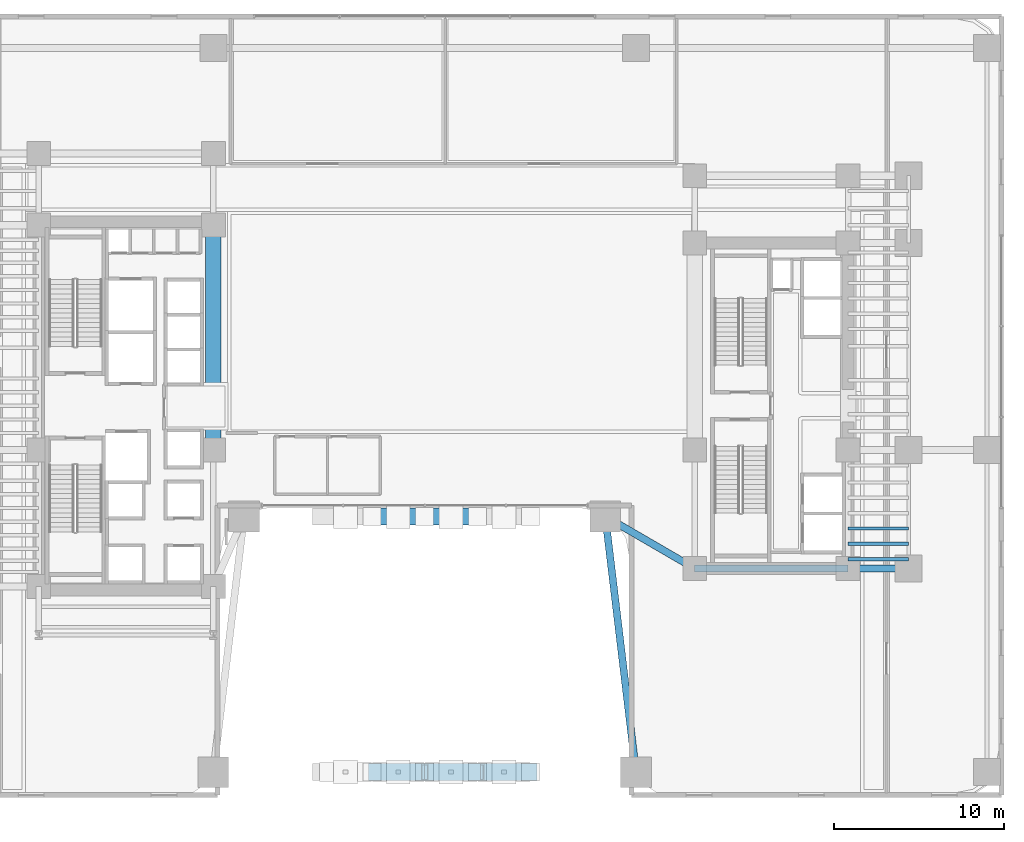
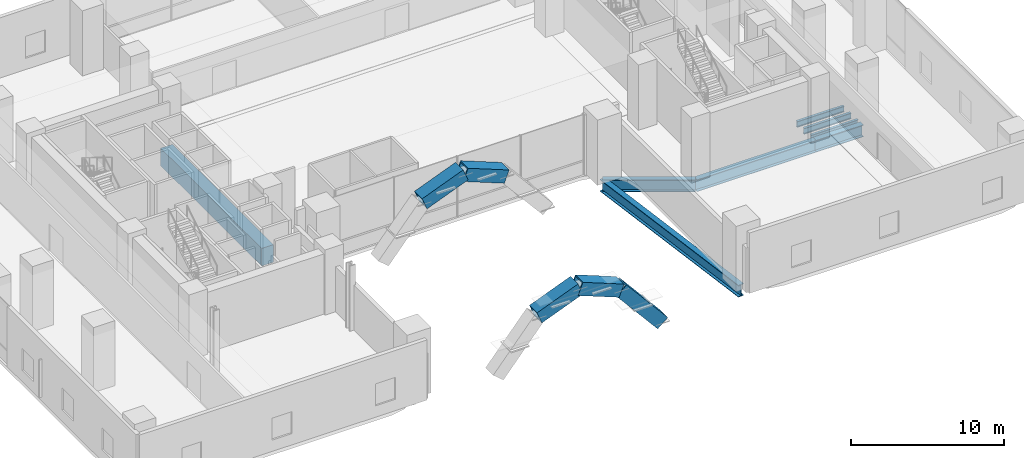
# One storey, part 7 of 39: 8 beams, 5 members.
"""IFC4 building model written with IfcOpenShell, lengths in metres."""

from ifc_helpers import new_model, si_unit, direction, frame, origin, origin_2d, place, context, subcontext, project, spatial, rectangle, hollow_rectangle, i_section, extrude, source, transform, mapped, material, material_profile, profile_set, type_object, element, save


model = new_model("IFC4")

# Units and contexts
model_context = context("Model", 3, precision=1e-05, world=origin(), true_north=direction((0.0, 1.0)))
body_context = subcontext(model_context, "Body", "Model", "MODEL_VIEW")
ifc_project = project(units=[si_unit("LENGTHUNIT", "METRE"), si_unit("AREAUNIT", "SQUARE_METRE"), si_unit("VOLUMEUNIT", "CUBIC_METRE"), si_unit("PLANEANGLEUNIT", "RADIAN"), si_unit("MASSUNIT", "GRAM", prefix="KILO")], contexts=[model_context])

# Site, building, storey
site_placement = place(None, origin())
site = spatial("IfcSite", under=ifc_project, at=site_placement, CompositionType="ELEMENT")
building_placement = place(site_placement, origin())
building = spatial("IfcBuilding", under=site, at=building_placement, Name="Valdorenza Pilgrim Sanctuary Tower", CompositionType="ELEMENT")
storey_placement = place(building_placement, frame((0.0, 0.0, 15.60009765625)))
storey = spatial("IfcBuildingStorey", under=building, at=storey_placement, Name="L03", CompositionType="ELEMENT", Elevation=15.60009765625)

# Beams
ifc_material_1 = material(Name="Concrete C60/75", Category="concrete")
ifc_material_profile_1 = material_profile(ifc_material_1, rectangle(XDim=0.89990234375, YDim=1.39990234375, at=origin_2d()), Name="RC 1400x900")
ifc_profile_set_1 = profile_set([ifc_material_profile_1], Name="Concrete C60/75")
beam_type_1 = type_object("IfcBeamType", Name="STR-BM-LNT-1400", PredefinedType="LINTEL", material=ifc_profile_set_1)
shared_shape_1 = source(origin(), body_context, "Body", "SweptSolid", [
    extrude(rectangle(XDim=0.89990234375, YDim=1.39990234375, at=origin_2d()), origin(), (0.0, 0.0, 1.0), 13.2001953125),
])
beam_1_placement = place(storey_placement, frame((-12.39990234375, -2.60009765625, -0.739990234375), z_axis=(0.0, 1.0, 0.0), x_axis=(-1.0, 0.0, 0.0)))
element("IfcBeam", 1, at=beam_1_placement, inside=storey, type_object=beam_type_1, Name="L03 Core A Coupling Lintel Girder", PredefinedType="LINTEL", context=body_context, shape_type="MappedRepresentation", body=[
    mapped(shared_shape_1, transform((0.0, 0.0, 0.0), x_axis=(1.0, 0.0, 0.0), y_axis=(0.0, 1.0, 0.0), z_axis=(0.0, 0.0, 1.0), scale=1.0)),
])
ifc_material_2 = material(Name="Steel ASTM A992 Grade 50", Category="steel")
ifc_material_profile_2 = material_profile(ifc_material_2, i_section(OverallWidth=0.423095703125, OverallDepth=0.947998046875, WebThickness=0.02392578125, FlangeThickness=0.042724609375, at=origin_2d()), Name="W36X302")
ifc_profile_set_2 = profile_set([ifc_material_profile_2], Name="Steel ASTM A992 Grade 50")
beam_type_2 = type_object("IfcBeamType", Name="STR-BM-GRD-W36A", PredefinedType="BEAM", material=ifc_profile_set_2)
shared_shape_2 = source(origin(), body_context, "Body", "SweptSolid", [
    extrude(i_section(OverallWidth=0.423095703125, OverallDepth=0.947998046875, WebThickness=0.02392578125, FlangeThickness=0.042724609375, at=origin_2d()), origin(), (0.0, 0.0, 1.0), 9.0),
])
beam_2_placement = place(storey_placement, frame((15.85009765625, -9.550048828125, -0.754150390625), z_axis=(1.0, 0.0, 0.0), x_axis=(0.0, 1.0, 0.0)))
element("IfcBeam", 2, at=beam_2_placement, inside=storey, type_object=beam_type_2, Name="L03 Floor Girder CB-XC-S1", PredefinedType="BEAM", context=body_context, shape_type="MappedRepresentation", body=[
    mapped(shared_shape_2, transform((0.0, 0.0, 0.0), x_axis=(1.0, 0.0, 0.0), y_axis=(0.0, 1.0, 0.0), z_axis=(0.0, 0.0, 1.0), scale=1.0)),
])
shared_shape_3 = source(origin(), body_context, "Body", "SweptSolid", [
    extrude(i_section(OverallWidth=0.423095703125, OverallDepth=0.947998046875, WebThickness=0.02392578125, FlangeThickness=0.042724609375, at=origin_2d()), origin(), (0.0, 0.0, 1.0), 3.5498046875),
])
beam_3_placement = place(storey_placement, frame((24.85009765625, -9.550048828125, -0.754150390625), z_axis=(1.0, 0.0, 0.0), x_axis=(0.0, 1.0, 0.0)))
element("IfcBeam", 3, at=beam_3_placement, inside=storey, type_object=beam_type_2, Name="L03 Floor Girder WB-XE-S1", PredefinedType="BEAM", context=body_context, shape_type="MappedRepresentation", body=[
    mapped(shared_shape_3, transform((0.0, 0.0, 0.0), x_axis=(1.0, 0.0, 0.0), y_axis=(0.0, 1.0, 0.0), z_axis=(0.0, 0.0, 1.0), scale=1.0)),
])
ifc_material_profile_3 = material_profile(ifc_material_2, i_section(OverallWidth=0.193115234375, OverallDepth=0.466064453125, WebThickness=0.011474609375, FlangeThickness=0.01904296875, at=origin_2d()), Name="W18X65")
ifc_profile_set_3 = profile_set([ifc_material_profile_3], Name="Steel ASTM A992 Grade 50")
beam_type_3 = type_object("IfcBeamType", Name="STR-BM-JST-W18A", PredefinedType="JOIST", material=ifc_profile_set_3)
shared_shape_4 = source(origin(), body_context, "Body", "SweptSolid", [
    extrude(i_section(OverallWidth=0.193115234375, OverallDepth=0.466064453125, WebThickness=0.011474609375, FlangeThickness=0.01904296875, at=origin_2d()), origin(), (0.0, 0.0, 1.0), 3.5498046875),
])
for number, where, z_axis, x_axis, name in (
    (4, (24.85009765625, -9.0, -0.51318359375), (1.0, 0.0, 0.0), (0.0, 1.0, 0.0), "L03 Composite Floor Joist JST-WB-1"),
    (5, (24.85009765625, -8.10009765625, -0.51318359375), (1.0, 0.0, 0.0), (0.0, 1.0, 0.0), "L03 Composite Floor Joist JST-WB-2"),
    (6, (24.85009765625, -7.199951171875, -0.51318359375), (1.0, 0.0, 0.0), (0.0, 1.0, 0.0), "L03 Composite Floor Joist JST-WB-3"),
):
    element("IfcBeam", number, at=place(storey_placement, frame(where, z_axis=z_axis, x_axis=x_axis)), inside=storey, type_object=beam_type_3, Name=name, PredefinedType="JOIST", context=body_context, shape_type="MappedRepresentation", body=[
        mapped(shared_shape_4, transform((0.0, 0.0, 0.0), x_axis=(1.0, 0.0, 0.0), y_axis=(0.0, 1.0, 0.0), z_axis=(0.0, 0.0, 1.0), scale=1.0)),
    ])
shared_shape_5 = source(origin(), body_context, "Body", "SweptSolid", [
    extrude(i_section(OverallWidth=0.423095703125, OverallDepth=0.947998046875, WebThickness=0.02392578125, FlangeThickness=0.042724609375, at=origin_2d()), origin(), (0.0, 0.0, 1.0), 15.107666015625),
])
beam_4_placement = place(storey_placement, frame((12.39990234375, -21.5, -0.754150390625), z_axis=(-0.119132476027, 0.992878367755, 0.0), x_axis=(-0.992878367755, -0.119132476027, 0.0)))
element("IfcBeam", 7, at=beam_4_placement, inside=storey, type_object=beam_type_2, Name="L03 Floor Girder POD-ARCH-E", PredefinedType="BEAM", context=body_context, shape_type="MappedRepresentation", body=[
    mapped(shared_shape_5, transform((0.0, 0.0, 0.0), x_axis=(1.0, 0.0, 0.0), y_axis=(0.0, 1.0, 0.0), z_axis=(0.0, 0.0, 1.0), scale=1.0)),
])
shared_shape_6 = source(origin(), body_context, "Body", "SweptSolid", [
    extrude(i_section(OverallWidth=0.423095703125, OverallDepth=0.947998046875, WebThickness=0.02392578125, FlangeThickness=0.042724609375, at=origin_2d()), origin(), (0.0, 0.0, 1.0), 6.07177734375),
])
beam_5_placement = place(storey_placement, frame((10.60009765625, -6.5, -0.754150390625), z_axis=(0.864670076815, -0.50234018181, 0.0), x_axis=(0.50234018181, 0.864670076815, 0.0)))
element("IfcBeam", 8, at=beam_5_placement, inside=storey, type_object=beam_type_2, Name="L03 Floor Girder POD-ARCH-NE", PredefinedType="BEAM", context=body_context, shape_type="MappedRepresentation", body=[
    mapped(shared_shape_6, transform((0.0, 0.0, 0.0), x_axis=(1.0, 0.0, 0.0), y_axis=(0.0, 1.0, 0.0), z_axis=(0.0, 0.0, 1.0), scale=1.0)),
])

# Members
ifc_material_3 = material(Name="Steel ASTM A572 Grade 42", Category="steel")
ifc_material_profile_4 = material_profile(ifc_material_3, hollow_rectangle(XDim=1.0, YDim=1.0, WallThickness=0.080078125, at=origin_2d()), Name="BOX 1000x1000x80")
ifc_profile_set_4 = profile_set([ifc_material_profile_4], Name="Steel ASTM A572 Grade 42")
member_type = type_object("IfcMemberType", Name="STR-MB-ARCH-RIB", PredefinedType="CHORD", material=ifc_profile_set_4)
shared_shape_7 = source(origin(), body_context, "Body", "SweptSolid", [
    extrude(hollow_rectangle(XDim=1.0, YDim=1.0, WallThickness=0.080078125, at=origin_2d()), origin(), (0.0, 0.0, 1.0), 4.807861328125),
])
member_placement = place(storey_placement, frame((3.10009765625, -21.5, 2.77490234375), z_axis=(0.644753207786, 0.0, -0.764390803875), x_axis=(0.0, 1.0, 0.0)))
element("IfcMember", 9, at=member_placement, inside=storey, type_object=member_type, Name="Parabolic Portal Arch Rib SOUTH Seg 6", PredefinedType="CHORD", context=body_context, shape_type="MappedRepresentation", body=[
    mapped(shared_shape_7, transform((0.0, 0.0, 0.0), x_axis=(1.0, 0.0, 0.0), y_axis=(0.0, 1.0, 0.0), z_axis=(0.0, 0.0, 1.0), scale=1.0)),
])
shared_shape_8 = source(origin(), body_context, "Body", "SweptSolid", [
    extrude(hollow_rectangle(XDim=1.0, YDim=1.0, WallThickness=0.080078125, at=origin_2d()), origin(), (0.0, 0.0, 1.0), 3.33349609375),
])
for number, where, z_axis, x_axis, name in (
    (10, (-3.10009765625, -21.5, 2.77490234375), (0.930014287911, 0.0, 0.367523365627), (0.0, 1.0, 0.0), "Parabolic Portal Arch Rib SOUTH Seg 4"),
    (11, (0.0, -21.5, 4.0), (0.930014287911, 0.0, -0.367523365627), (0.0, 1.0, 0.0), "Parabolic Portal Arch Rib SOUTH Seg 5"),
    (12, (-3.10009765625, -6.5, 2.77490234375), (0.930014287911, 0.0, 0.367523365627), (0.0, 1.0, 0.0), "Parabolic Portal Arch Rib INNER Seg 4"),
    (13, (0.0, -6.5, 4.0), (0.930014287911, 0.0, -0.367523365627), (0.0, 1.0, 0.0), "Parabolic Portal Arch Rib INNER Seg 5"),
):
    element("IfcMember", number, at=place(storey_placement, frame(where, z_axis=z_axis, x_axis=x_axis)), inside=storey, type_object=member_type, Name=name, PredefinedType="CHORD", context=body_context, shape_type="MappedRepresentation", body=[
        mapped(shared_shape_8, transform((0.0, 0.0, 0.0), x_axis=(1.0, 0.0, 0.0), y_axis=(0.0, 1.0, 0.0), z_axis=(0.0, 0.0, 1.0), scale=1.0)),
    ])

save(model, "model.ifc")
